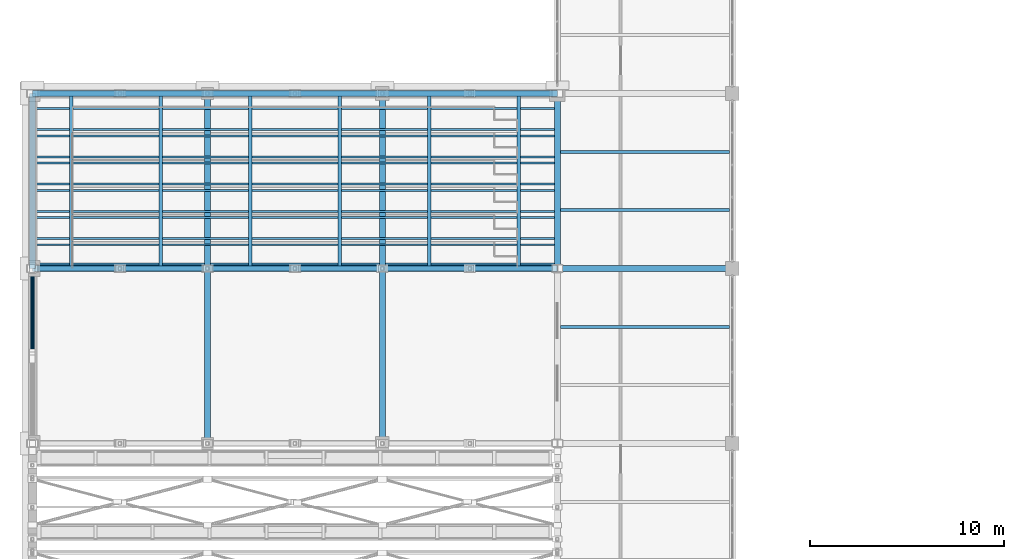
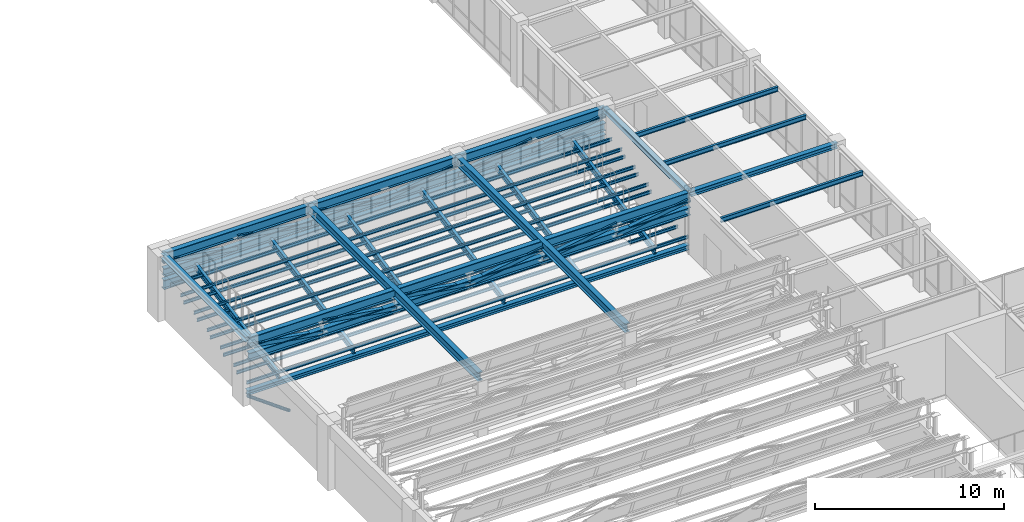
# One storey, part 34 of 108: 30 beams, 15 members.
"""IFC4 building model written with IfcOpenShell, lengths in metres."""

from ifc_helpers import new_model, si_unit, direction, frame, origin, origin_2d, place, context, subcontext, project, spatial, hollow_rectangle, hollow_circle, i_section, extrude, material, material_profile, profile_set, type_object, element, save


model = new_model("IFC4")

# Units and contexts
model_context = context("Model", 3, precision=1e-05, world=origin(), true_north=direction((0.0, 1.0)))
body_context = subcontext(model_context, "Body", "Model", "MODEL_VIEW")
ifc_project = project(units=[si_unit("LENGTHUNIT", "METRE"), si_unit("AREAUNIT", "SQUARE_METRE"), si_unit("VOLUMEUNIT", "CUBIC_METRE"), si_unit("PLANEANGLEUNIT", "RADIAN"), si_unit("MASSUNIT", "GRAM", prefix="KILO")], contexts=[model_context])

# Site, building, storey
site_placement = place(None, origin())
site = spatial("IfcSite", under=ifc_project, at=site_placement, CompositionType="ELEMENT")
building_placement = place(site_placement, origin())
building = spatial("IfcBuilding", under=site, at=building_placement, Name="Lykobir Media Centre", CompositionType="ELEMENT")
storey_placement = place(building_placement, frame((0.0, 0.0, 15.0)))
storey = spatial("IfcBuildingStorey", under=building, at=storey_placement, Name="L03", CompositionType="ELEMENT", Elevation=15.0)

# Beams
ifc_material = material(Name="Steel S355", Category="steel")
ifc_material_profile_1 = material_profile(ifc_material, i_section(OverallWidth=0.300048828125, OverallDepth=0.2900390625, WebThickness=0.008544921875, FlangeThickness=0.013916015625, at=origin_2d()), Name="HEA 300")
ifc_profile_set_1 = profile_set([ifc_material_profile_1], Name="Steel S355")
beam_type_1 = type_object("IfcBeamType", Name="BM-HEA300", PredefinedType="BEAM", material=ifc_profile_set_1)
beam_1_placement = place(storey_placement, frame((0.0, 36.139892578125, 0.2880859375), z_axis=(1.0, 0.0, 0.0), x_axis=(0.0, 1.0, 0.0)))
element("IfcBeam", 1, at=beam_1_placement, inside=storey, type_object=beam_type_1, Name="Beam BM-L03-0000-0361-0270-0361-1529", PredefinedType="BEAM", context=body_context, shape_type="SweptSolid", body=[
    extrude(i_section(OverallWidth=0.300048828125, OverallDepth=0.2900390625, WebThickness=0.008544921875, FlangeThickness=0.013916015625, at=origin_2d()), origin(), (0.0, 0.0, 1.0), 27.0),
])
ifc_material_profile_2 = material_profile(ifc_material, i_section(OverallWidth=0.300048828125, OverallDepth=0.330078125, WebThickness=0.009521484375, FlangeThickness=0.0166015625, at=origin_2d()), Name="HEA 340")
ifc_profile_set_2 = profile_set([ifc_material_profile_2], Name="Steel S355")
beam_type_2 = type_object("IfcBeamType", Name="BM-HEA340", PredefinedType="BEAM", material=ifc_profile_set_2)
beam_2_placement = place(storey_placement, frame((27.0, 36.0, 3.782958984375), z_axis=(1.0, 0.0, 0.0), x_axis=(0.0, 1.0, 0.0)))
element("IfcBeam", 2, at=beam_2_placement, inside=storey, type_object=beam_type_2, Name="Beam BM-L03-0270-0360-0360-0360-1880", PredefinedType="BEAM", context=body_context, shape_type="SweptSolid", body=[
    extrude(i_section(OverallWidth=0.300048828125, OverallDepth=0.330078125, WebThickness=0.009521484375, FlangeThickness=0.0166015625, at=origin_2d()), origin(), (0.0, 0.0, 1.0), 9.0),
])
ifc_material_profile_3 = material_profile(ifc_material, i_section(OverallWidth=0.300048828125, OverallDepth=0.550048828125, WebThickness=0.014892578125, FlangeThickness=0.029052734375, at=origin_2d()), Name="HEB 550")
ifc_profile_set_3 = profile_set([ifc_material_profile_3], Name="Steel S355")
beam_type_3 = type_object("IfcBeamType", Name="BM-HEB550", PredefinedType="BEAM", material=ifc_profile_set_3)
for number, where, z_axis, x_axis, name in (
    (3, (9.0, 27.0, 3.675048828125), (0.0, 1.0, 0.0), (-1.0, 0.0, 0.0), "Beam BM-L03-0090-0270-0090-0450-1868"),
    (4, (18.0, 27.0, 3.675048828125), (0.0, 1.0, 0.0), (-1.0, 0.0, 0.0), "Beam BM-L03-0180-0270-0180-0450-1868"),
):
    element("IfcBeam", number, at=place(storey_placement, frame(where, z_axis=z_axis, x_axis=x_axis)), inside=storey, type_object=beam_type_3, Name=name, PredefinedType="BEAM", context=body_context, shape_type="SweptSolid", body=[
        extrude(i_section(OverallWidth=0.300048828125, OverallDepth=0.550048828125, WebThickness=0.014892578125, FlangeThickness=0.029052734375, at=origin_2d()), origin(), (0.0, 0.0, 1.0), 18.0),
    ])
ifc_material_profile_4 = material_profile(ifc_material, i_section(OverallWidth=0.300048828125, OverallDepth=0.60009765625, WebThickness=0.015380859375, FlangeThickness=0.030029296875, at=origin_2d()), Name="HEB 600")
ifc_profile_set_4 = profile_set([ifc_material_profile_4], Name="Steel S355")
beam_type_4 = type_object("IfcBeamType", Name="BM-HEB600", PredefinedType="BEAM", material=ifc_profile_set_4)
for number, where, z_axis, x_axis, name in (
    (5, (0.0, 36.0, 3.64990234375), (1.0, 0.0, 0.0), (0.0, 1.0, 0.0), "Beam BM-L03-0000-0360-0270-0360-1865"),
    (6, (0.0, 45.0, 1.905029296875), (1.0, 0.0, 0.0), (0.0, 1.0, 0.0), "Beam BM-L03-0000-0450-0270-0450-1690"),
):
    element("IfcBeam", number, at=place(storey_placement, frame(where, z_axis=z_axis, x_axis=x_axis)), inside=storey, type_object=beam_type_4, Name=name, PredefinedType="BEAM", context=body_context, shape_type="SweptSolid", body=[
        extrude(i_section(OverallWidth=0.300048828125, OverallDepth=0.60009765625, WebThickness=0.015380859375, FlangeThickness=0.030029296875, at=origin_2d()), origin(), (0.0, 0.0, 1.0), 27.0),
    ])
ifc_material_profile_5 = material_profile(ifc_material, i_section(OverallWidth=0.300048828125, OverallDepth=0.60009765625, WebThickness=0.015380859375, FlangeThickness=0.030029296875, at=origin_2d()), Name="HEB 600")
ifc_profile_set_5 = profile_set([ifc_material_profile_5], Name="Steel S355")
beam_type_5 = type_object("IfcBeamType", Name="BM-HEB600-E", PredefinedType="BEAM", material=ifc_profile_set_5)
beam_3_placement = place(storey_placement, frame((0.0, 45.0, 3.64990234375), z_axis=(1.0, 0.0, 0.0), x_axis=(0.0, 1.0, 0.0)))
element("IfcBeam", 7, at=beam_3_placement, inside=storey, type_object=beam_type_5, Name="Beam BM-L03-0000-0450-0270-0450-1865", PredefinedType="BEAM", context=body_context, shape_type="SweptSolid", body=[
    extrude(i_section(OverallWidth=0.300048828125, OverallDepth=0.60009765625, WebThickness=0.015380859375, FlangeThickness=0.030029296875, at=origin_2d()), origin(), (0.0, 0.0, 1.0), 27.0),
])

# Members
ifc_material_profile_6 = material_profile(ifc_material, hollow_circle(Radius=0.096923828125, WallThickness=0.010009765625, at=origin_2d()), Name="CHS 193.7x10.0")
ifc_profile_set_6 = profile_set([ifc_material_profile_6], Name="Steel S355")
member_type_1 = type_object("IfcMemberType", Name="BR-CHS194-E", PredefinedType="BRACE", material=ifc_profile_set_6)
member_1_placement = place(storey_placement, frame((0.0, 36.0, 0.1201171875), z_axis=(0.0, -0.931310611003, 0.364225954365), x_axis=(1.0, 0.0, 0.0)))
element("IfcMember", 8, at=member_1_placement, inside=storey, type_object=member_type_1, Name="Diagonal brace MEM2-L03-0000-0360-0151-0000-0316-0537", PredefinedType="BRACE", context=body_context, shape_type="SweptSolid", body=[
    extrude(hollow_circle(Radius=0.096923828125, WallThickness=0.010009765625, at=origin_2d()), origin(), (0.0, 0.0, 1.0), 4.671875),
])
ifc_material_profile_7 = material_profile(ifc_material, hollow_rectangle(XDim=0.25, YDim=0.25, WallThickness=0.012451171875, at=origin_2d()), Name="SHS 250x250x12.5")
ifc_profile_set_7 = profile_set([ifc_material_profile_7], Name="Steel S355")
member_type_2 = type_object("IfcMemberType", Name="BR-SHS250", PredefinedType="BRACE", material=ifc_profile_set_7)
for number, where, z_axis, x_axis, name in (
    (9, (0.0, 36.0, 3.39990234375), (0.988118097326, 0.0, -0.153696537817), (0.0, 1.0, 0.0), "Diagonal brace MEM2-L03-0000-0360-0184-0045-0360-0110"),
    (10, (4.5, 36.0, 3.39990234375), (0.988118097326, 0.0, -0.153696537817), (0.0, 1.0, 0.0), "Diagonal brace MEM2-L03-0045-0360-0184-0090-0360-0111"),
    (11, (9.0, 36.0, 3.39990234375), (0.988118097326, 0.0, -0.153696537817), (0.0, 1.0, 0.0), "Diagonal brace MEM2-L03-0090-0360-0184-0135-0360-0113"),
    (12, (13.5, 36.0, 2.699951171875), (0.988118097326, 0.0, 0.153696537817), (0.0, 1.0, 0.0), "Diagonal brace MEM2-L03-0135-0360-0177-0180-0360-0115"),
    (13, (18.0, 36.0, 2.699951171875), (0.988118097326, 0.0, 0.153696537817), (0.0, 1.0, 0.0), "Diagonal brace MEM2-L03-0180-0360-0177-0225-0360-0117"),
    (14, (22.5, 36.0, 2.699951171875), (0.988118097326, 0.0, 0.153696537817), (0.0, 1.0, 0.0), "Diagonal brace MEM2-L03-0225-0360-0177-0270-0360-0119"),
):
    element("IfcMember", number, at=place(storey_placement, frame(where, z_axis=z_axis, x_axis=x_axis)), inside=storey, type_object=member_type_2, Name=name, PredefinedType="BRACE", context=body_context, shape_type="SweptSolid", body=[
        extrude(hollow_rectangle(XDim=0.25, YDim=0.25, WallThickness=0.012451171875, at=origin_2d()), origin(), (0.0, 0.0, 1.0), 4.55419921875),
    ])
ifc_material_profile_8 = material_profile(ifc_material, hollow_rectangle(XDim=0.25, YDim=0.25, WallThickness=0.012451171875, at=origin_2d()), Name="SHS 250x250x12.5")
ifc_profile_set_8 = profile_set([ifc_material_profile_8], Name="Steel S355")
member_type_3 = type_object("IfcMemberType", Name="BR-SHS250-E", PredefinedType="BRACE", material=ifc_profile_set_8)
for number, where, z_axis, x_axis, name in (
    (15, (0.0, 45.0, 3.39990234375), (0.988118097326, 0.0, -0.153696537817), (0.0, 1.0, 0.0), "Diagonal brace MEM2-L03-0000-0450-0184-0045-0450-0122"),
    (16, (4.5, 45.0, 3.39990234375), (0.988118097326, 0.0, -0.153696537817), (0.0, 1.0, 0.0), "Diagonal brace MEM2-L03-0045-0450-0184-0090-0450-0123"),
    (17, (9.0, 45.0, 3.39990234375), (0.988118097326, 0.0, -0.153696537817), (0.0, 1.0, 0.0), "Diagonal brace MEM2-L03-0090-0450-0184-0135-0450-0125"),
    (18, (13.5, 45.0, 2.699951171875), (0.988118097326, 0.0, 0.153696537817), (0.0, 1.0, 0.0), "Diagonal brace MEM2-L03-0135-0450-0177-0180-0450-0127"),
    (19, (18.0, 45.0, 2.699951171875), (0.988118097326, 0.0, 0.153696537817), (0.0, 1.0, 0.0), "Diagonal brace MEM2-L03-0180-0450-0177-0225-0450-0129"),
    (20, (22.5, 45.0, 2.699951171875), (0.988118097326, 0.0, 0.153696537817), (0.0, 1.0, 0.0), "Diagonal brace MEM2-L03-0225-0450-0177-0270-0450-0131"),
):
    element("IfcMember", number, at=place(storey_placement, frame(where, z_axis=z_axis, x_axis=x_axis)), inside=storey, type_object=member_type_3, Name=name, PredefinedType="BRACE", context=body_context, shape_type="SweptSolid", body=[
        extrude(hollow_rectangle(XDim=0.25, YDim=0.25, WallThickness=0.012451171875, at=origin_2d()), origin(), (0.0, 0.0, 1.0), 4.55419921875),
    ])

# Beams
ifc_material_profile_9 = material_profile(ifc_material, i_section(OverallWidth=0.14990234375, OverallDepth=0.300048828125, WebThickness=0.007080078125, FlangeThickness=0.0107421875, at=origin_2d()), Name="IPE 300")
ifc_profile_set_9 = profile_set([ifc_material_profile_9], Name="Steel S355")
beam_type_6 = type_object("IfcBeamType", Name="JS-IPE300", PredefinedType="JOIST", material=ifc_profile_set_9)
for number, where, z_axis, x_axis, name in (
    (21, (27.14990234375, 33.0, 3.81005859375), (1.0, 0.0, 0.0), (0.0, 1.0, 0.0), "Beam BM-L03-0272-0330-0358-0330-1881"),
    (22, (27.14990234375, 39.0, 3.81005859375), (1.0, 0.0, 0.0), (0.0, 1.0, 0.0), "Beam BM-L03-0272-0390-0358-0390-1881"),
    (23, (27.14990234375, 42.0, 3.81005859375), (1.0, 0.0, 0.0), (0.0, 1.0, 0.0), "Beam BM-L03-0272-0420-0358-0420-1881"),
):
    element("IfcBeam", number, at=place(storey_placement, frame(where, z_axis=z_axis, x_axis=x_axis)), inside=storey, type_object=beam_type_6, Name=name, PredefinedType="JOIST", context=body_context, shape_type="SweptSolid", body=[
        extrude(i_section(OverallWidth=0.14990234375, OverallDepth=0.300048828125, WebThickness=0.007080078125, FlangeThickness=0.0107421875, at=origin_2d()), origin(), (0.0, 0.0, 1.0), 8.7001953125),
    ])
ifc_material_profile_10 = material_profile(ifc_material, i_section(OverallWidth=0.179931640625, OverallDepth=0.39990234375, WebThickness=0.008544921875, FlangeThickness=0.013427734375, at=origin_2d()), Name="IPE 400")
ifc_profile_set_10 = profile_set([ifc_material_profile_10], Name="Steel S355")
beam_type_7 = type_object("IfcBeamType", Name="RK-IPE400", PredefinedType="USERDEFINED", material=ifc_profile_set_10)
for number, where, z_axis, x_axis, name in (
    (24, (2.0, 36.139892578125, 0.6279296875), (0.0, 0.980581714907, 0.196110938987), (-1.0, 0.0, 0.0), "Beam BM-L03-0020-0361-0020-0450-1563"),
    (25, (6.60009765625, 36.139892578125, 0.6279296875), (0.0, 0.980581714907, 0.196110938987), (-1.0, 0.0, 0.0), "Beam BM-L03-0066-0361-0066-0450-1563"),
    (26, (11.199951171875, 36.139892578125, 0.6279296875), (0.0, 0.980581714907, 0.196110938987), (-1.0, 0.0, 0.0), "Beam BM-L03-0112-0361-0112-0450-1563"),
    (27, (15.800048828125, 36.139892578125, 0.6279296875), (0.0, 0.980581714907, 0.196110938987), (-1.0, 0.0, 0.0), "Beam BM-L03-0158-0361-0158-0450-1563"),
    (28, (20.39990234375, 36.139892578125, 0.6279296875), (0.0, 0.980581714907, 0.196110938987), (-1.0, 0.0, 0.0), "Beam BM-L03-0204-0361-0204-0450-1563"),
    (29, (25.0, 36.139892578125, 0.6279296875), (0.0, 0.980581714907, 0.196110938987), (-1.0, 0.0, 0.0), "Beam BM-L03-0250-0361-0250-0450-1563"),
):
    element("IfcBeam", number, at=place(storey_placement, frame(where, z_axis=z_axis, x_axis=x_axis)), inside=storey, type_object=beam_type_7, Name=name, ObjectType="RAKER", PredefinedType="USERDEFINED", context=body_context, shape_type="SweptSolid", body=[
        extrude(i_section(OverallWidth=0.179931640625, OverallDepth=0.39990234375, WebThickness=0.008544921875, FlangeThickness=0.013427734375, at=origin_2d()), origin(), (0.0, 0.0, 1.0), 9.03564453125),
    ])
ifc_material_profile_11 = material_profile(ifc_material, i_section(OverallWidth=0.300048828125, OverallDepth=0.31005859375, WebThickness=0.009033203125, FlangeThickness=0.015380859375, at=origin_2d()), Name="HEA 320")
ifc_profile_set_11 = profile_set([ifc_material_profile_11], Name="Steel S355")
beam_type_8 = type_object("IfcBeamType", Name="SP-HEA320", PredefinedType="SPANDREL", material=ifc_profile_set_11)
beam_4_placement = place(storey_placement, frame((27.0, 36.0, 3.794921875), z_axis=(0.0, 1.0, 0.0), x_axis=(-1.0, 0.0, 0.0)))
element("IfcBeam", 30, at=beam_4_placement, inside=storey, type_object=beam_type_8, Name="Beam BM-L03-0270-0360-0270-0450-1880", PredefinedType="SPANDREL", context=body_context, shape_type="SweptSolid", body=[
    extrude(i_section(OverallWidth=0.300048828125, OverallDepth=0.31005859375, WebThickness=0.009033203125, FlangeThickness=0.015380859375, at=origin_2d()), origin(), (0.0, 0.0, 1.0), 9.0),
])
ifc_material_profile_12 = material_profile(ifc_material, i_section(OverallWidth=0.300048828125, OverallDepth=0.31005859375, WebThickness=0.009033203125, FlangeThickness=0.015380859375, at=origin_2d()), Name="HEA 320")
ifc_profile_set_12 = profile_set([ifc_material_profile_12], Name="Steel S355")
beam_type_9 = type_object("IfcBeamType", Name="SP-HEA320-E", PredefinedType="SPANDREL", material=ifc_profile_set_12)
beam_5_placement = place(storey_placement, frame((0.0, 36.0, 3.794921875), z_axis=(0.0, 1.0, 0.0), x_axis=(-1.0, 0.0, 0.0)))
element("IfcBeam", 31, at=beam_5_placement, inside=storey, type_object=beam_type_9, Name="Beam BM-L03-0000-0360-0000-0450-1880", PredefinedType="SPANDREL", context=body_context, shape_type="SweptSolid", body=[
    extrude(i_section(OverallWidth=0.300048828125, OverallDepth=0.31005859375, WebThickness=0.009033203125, FlangeThickness=0.015380859375, at=origin_2d()), origin(), (0.0, 0.0, 1.0), 9.0),
])

# Members
ifc_material_profile_13 = material_profile(ifc_material, i_section(OverallWidth=0.300048828125, OverallDepth=0.5, WebThickness=0.014404296875, FlangeThickness=0.028076171875, at=origin_2d()), Name="HEB 500")
ifc_profile_set_13 = profile_set([ifc_material_profile_13], Name="Steel S355")
member_type_4 = type_object("IfcMemberType", Name="TC-HEB500", PredefinedType="CHORD", material=ifc_profile_set_13)
member_2_placement = place(storey_placement, frame((0.0, 36.0, 2.699951171875), z_axis=(1.0, 0.0, 0.0), x_axis=(0.0, 1.0, 0.0)))
element("IfcMember", 32, at=member_2_placement, inside=storey, type_object=member_type_4, Name="Truss chord MEM2-L03-0000-0360-0177-0270-0360-0109", PredefinedType="CHORD", context=body_context, shape_type="SweptSolid", body=[
    extrude(i_section(OverallWidth=0.300048828125, OverallDepth=0.5, WebThickness=0.014404296875, FlangeThickness=0.028076171875, at=origin_2d()), origin(), (0.0, 0.0, 1.0), 27.0),
])
ifc_material_profile_14 = material_profile(ifc_material, i_section(OverallWidth=0.300048828125, OverallDepth=0.5, WebThickness=0.014404296875, FlangeThickness=0.028076171875, at=origin_2d()), Name="HEB 500")
ifc_profile_set_14 = profile_set([ifc_material_profile_14], Name="Steel S355")
member_type_5 = type_object("IfcMemberType", Name="TC-HEB500-E", PredefinedType="CHORD", material=ifc_profile_set_14)
member_3_placement = place(storey_placement, frame((0.0, 45.0, 2.699951171875), z_axis=(1.0, 0.0, 0.0), x_axis=(0.0, 1.0, 0.0)))
element("IfcMember", 33, at=member_3_placement, inside=storey, type_object=member_type_5, Name="Truss chord MEM2-L03-0000-0450-0177-0270-0450-0121", PredefinedType="CHORD", context=body_context, shape_type="SweptSolid", body=[
    extrude(i_section(OverallWidth=0.300048828125, OverallDepth=0.5, WebThickness=0.014404296875, FlangeThickness=0.028076171875, at=origin_2d()), origin(), (0.0, 0.0, 1.0), 27.0),
])

# Beams
ifc_material_profile_15 = material_profile(ifc_material, i_section(OverallWidth=0.10009765625, OverallDepth=0.199951171875, WebThickness=0.005615234375, FlangeThickness=0.008544921875, at=origin_2d()), Name="IPE 200")
ifc_profile_set_15 = profile_set([ifc_material_profile_15], Name="Steel S355")
beam_type_10 = type_object("IfcBeamType", Name="TP-IPE200", PredefinedType="JOIST", material=ifc_profile_set_15)
for number, where, z_axis, x_axis, name in (
    (34, (0.0, 36.139892578125, 0.89501953125), (1.0, 0.0, 0.0), (0.0, 1.0, 0.0), "Beam BM-L03-0000-0361-0270-0361-1590"),
    (35, (0.0, 37.219970703125, 0.89501953125), (1.0, 0.0, 0.0), (0.0, 1.0, 0.0), "Beam BM-L03-0000-0372-0270-0372-1590"),
    (36, (0.0, 37.5400390625, 1.175048828125), (1.0, 0.0, 0.0), (0.0, 1.0, 0.0), "Beam BM-L03-0000-0375-0270-0375-1618"),
    (37, (0.0, 38.6201171875, 1.175048828125), (1.0, 0.0, 0.0), (0.0, 1.0, 0.0), "Beam BM-L03-0000-0386-0270-0386-1618"),
    (38, (0.0, 38.93994140625, 1.455078125), (1.0, 0.0, 0.0), (0.0, 1.0, 0.0), "Beam BM-L03-0000-0389-0270-0389-1645"),
    (39, (0.0, 40.02001953125, 1.455078125), (1.0, 0.0, 0.0), (0.0, 1.0, 0.0), "Beam BM-L03-0000-0400-0270-0400-1645"),
    (40, (0.0, 40.340087890625, 1.735107421875), (1.0, 0.0, 0.0), (0.0, 1.0, 0.0), "Beam BM-L03-0000-0403-0270-0403-1674"),
    (41, (0.0, 41.419921875, 1.735107421875), (1.0, 0.0, 0.0), (0.0, 1.0, 0.0), "Beam BM-L03-0000-0414-0270-0414-1674"),
    (42, (0.0, 41.739990234375, 2.014892578125), (1.0, 0.0, 0.0), (0.0, 1.0, 0.0), "Beam BM-L03-0000-0417-0270-0417-1702"),
    (43, (0.0, 42.820068359375, 2.014892578125), (1.0, 0.0, 0.0), (0.0, 1.0, 0.0), "Beam BM-L03-0000-0428-0270-0428-1702"),
    (44, (0.0, 43.139892578125, 2.294921875), (1.0, 0.0, 0.0), (0.0, 1.0, 0.0), "Beam BM-L03-0000-0431-0270-0431-1730"),
    (45, (0.0, 44.219970703125, 2.294921875), (1.0, 0.0, 0.0), (0.0, 1.0, 0.0), "Beam BM-L03-0000-0442-0270-0442-1730"),
):
    element("IfcBeam", number, at=place(storey_placement, frame(where, z_axis=z_axis, x_axis=x_axis)), inside=storey, type_object=beam_type_10, Name=name, PredefinedType="JOIST", context=body_context, shape_type="SweptSolid", body=[
        extrude(i_section(OverallWidth=0.10009765625, OverallDepth=0.199951171875, WebThickness=0.005615234375, FlangeThickness=0.008544921875, at=origin_2d()), origin(), (0.0, 0.0, 1.0), 27.0),
    ])

save(model, "model.ifc")
